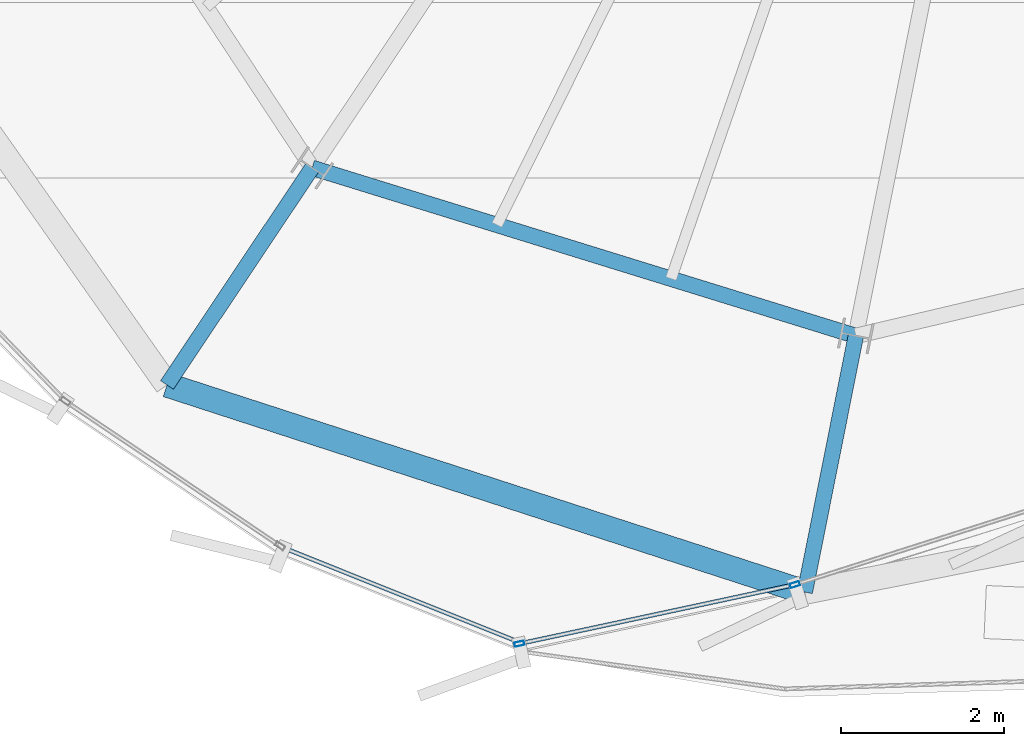
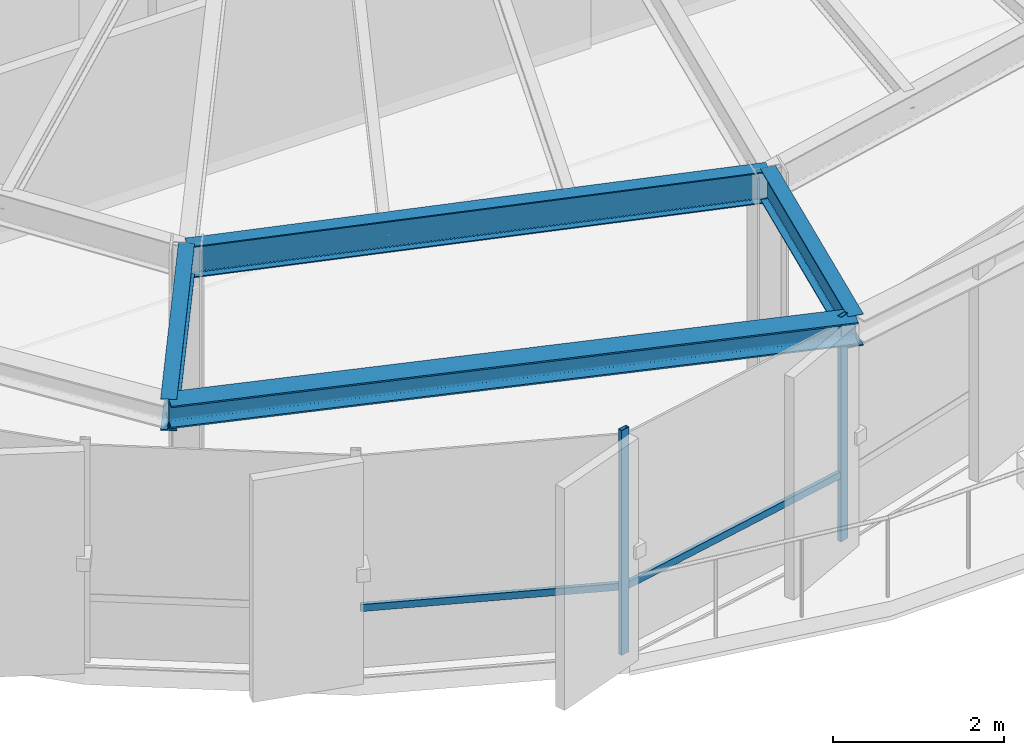
# One storey, part 3 of 31: 4 beams, 4 members, 1 element without a shape of its own.
"""IFC4 building model written with IfcOpenShell, lengths in metres."""

from ifc_helpers import new_model, si_unit, direction, frame, origin, origin_2d, place, context, subcontext, project, spatial, hollow_rectangle, i_section, extrude, source, transform, mapped, material, layer, layer_set, material_profile, profile_set, type_object, element, aggregate, save


model = new_model("IFC4")

# Units and contexts
model_context = context("Model", 3, precision=1e-05, world=origin(), true_north=direction((0.0, 1.0)))
body_context = subcontext(model_context, "Body", "Model", "MODEL_VIEW")
ifc_project = project(units=[si_unit("LENGTHUNIT", "METRE"), si_unit("AREAUNIT", "SQUARE_METRE"), si_unit("VOLUMEUNIT", "CUBIC_METRE"), si_unit("PLANEANGLEUNIT", "RADIAN"), si_unit("MASSUNIT", "GRAM", prefix="KILO"), si_unit("THERMODYNAMICTEMPERATUREUNIT", "KELVIN")], contexts=[model_context])

# Site, building, storey
site_placement = place(None, origin())
site = spatial("IfcSite", under=ifc_project, at=site_placement, CompositionType="ELEMENT")
building_placement = place(site_placement, origin())
building = spatial("IfcBuilding", under=site, at=building_placement, Name="Kethvar Cultural Tower", CompositionType="ELEMENT")
storey_placement = place(building_placement, frame((0.0, 0.0, 283.60009765625)))
storey = spatial("IfcBuildingStorey", under=building, at=storey_placement, Name="L75", CompositionType="ELEMENT", Elevation=283.60009765625)

# Beams
ifc_material_1 = material(Name="Steel S355J2", Category="steel")
ifc_material_profile_1 = material_profile(ifc_material_1, i_section(OverallWidth=0.18994140625, OverallDepth=0.449951171875, WebThickness=0.009521484375, FlangeThickness=0.0146484375, FilletRadius=0.02099609375, at=origin_2d()), Name="Steel S355J2 — IPE450")
ifc_profile_set_1 = profile_set([ifc_material_profile_1], Name="Steel S355J2 — IPE450")
beam_type_1 = type_object("IfcBeamType", Name="BM-IPE450", PredefinedType="BEAM", material=ifc_profile_set_1)
shared_shape_1 = source(origin(), body_context, "Body", "SweptSolid", [
    extrude(i_section(OverallWidth=0.18994140625, OverallDepth=0.449951171875, WebThickness=0.009521484375, FlangeThickness=0.0146484375, FilletRadius=0.02099609375, at=origin_2d()), origin(), (0.0, 0.0, 1.0), 3.199951171875),
])
beam_1_placement = place(storey_placement, frame((36.731201171875, 12.73095703125, 2.98291015625), z_axis=(-0.555580212716, -0.831462943996, 0.0), x_axis=(0.831462943996, -0.555580212716, 0.0)))
element("IfcBeam", 1, at=beam_1_placement, inside=storey, type_object=beam_type_1, Name="L75 Perimeter Cantilever Beam RC-11", PredefinedType="BEAM", context=body_context, shape_type="MappedRepresentation", body=[
    mapped(shared_shape_1, transform((0.0, 0.0, 0.0), scale=1.0)),
])
shared_shape_2 = source(origin(), body_context, "Body", "SweptSolid", [
    extrude(i_section(OverallWidth=0.18994140625, OverallDepth=0.449951171875, WebThickness=0.009521484375, FlangeThickness=0.0146484375, FilletRadius=0.02099609375, at=origin_2d()), origin(), (0.0, 0.0, 1.0), 3.2001953125),
])
beam_2_placement = place(storey_placement, frame((43.392822265625, 10.67138671875, 2.98291015625), z_axis=(-0.195074368086, -0.980788453702, 0.0), x_axis=(0.980788453702, -0.195074368086, 0.0)))
element("IfcBeam", 2, at=beam_2_placement, inside=storey, type_object=beam_type_1, Name="L75 Perimeter Cantilever Beam RC-12", PredefinedType="BEAM", context=body_context, shape_type="MappedRepresentation", body=[
    mapped(shared_shape_2, transform((0.0, 0.0, 0.0), scale=1.0)),
])
shared_shape_3 = source(origin(), body_context, "Body", "SweptSolid", [
    extrude(i_section(OverallWidth=0.18994140625, OverallDepth=0.449951171875, WebThickness=0.009521484375, FlangeThickness=0.0146484375, FilletRadius=0.02099609375, at=origin_2d()), origin(), (0.0, 0.0, 1.0), 6.97265625),
])
beam_3_placement = place(storey_placement, frame((36.731201171875, 12.73095703125, 2.98291015625), z_axis=(0.955381444404, -0.295374839295, 0.0), x_axis=(0.295374839295, 0.955381444404, 0.0)))
element("IfcBeam", 3, at=beam_3_placement, inside=storey, type_object=beam_type_1, Name="L75 Column Ring Tie Beam CR-11", PredefinedType="BEAM", context=body_context, shape_type="MappedRepresentation", body=[
    mapped(shared_shape_3, transform((0.0, 0.0, 0.0), scale=1.0)),
])
ifc_material_profile_2 = material_profile(ifc_material_1, i_section(OverallWidth=0.300048828125, OverallDepth=0.320068359375, WebThickness=0.011474609375, FlangeThickness=0.0205078125, FilletRadius=0.027099609375, at=origin_2d()), Name="Steel S355J2 — HEB320")
ifc_profile_set_2 = profile_set([ifc_material_profile_2], Name="Steel S355J2 — HEB320")
beam_type_2 = type_object("IfcBeamType", Name="BM-SP320", PredefinedType="SPANDREL", material=ifc_profile_set_2)
shared_shape_4 = source(origin(), body_context, "Body", "SweptSolid", [
    extrude(i_section(OverallWidth=0.300048828125, OverallDepth=0.320068359375, WebThickness=0.011474609375, FlangeThickness=0.0205078125, FilletRadius=0.027099609375, at=origin_2d()), origin(), (0.0, 0.0, 1.0), 8.216796875),
])
beam_4_placement = place(storey_placement, frame((34.953369140625, 10.0703125, 3.0478515625), z_axis=(0.951117661456, -0.30882874553, 0.0), x_axis=(0.30882874553, 0.951117661456, 0.0)))
element("IfcBeam", 4, at=beam_4_placement, inside=storey, type_object=beam_type_2, Name="L75 Perimeter Spandrel Beam SP-11", PredefinedType="SPANDREL", context=body_context, shape_type="MappedRepresentation", body=[
    mapped(shared_shape_4, transform((0.0, 0.0, 0.0), scale=1.0)),
])

# Curtain wall, members
ifc_material_2 = material(Name="Aluminium 6063-T6", Category="aluminium")
ifc_layer = layer(ifc_material_2, 0.179931640625, Name="Aluminium 6063-T6", Category="aluminium")
ifc_layer_set = layer_set([ifc_layer], Name="Aluminium 6063-T6 (180 mm)")
curtain_wall_type = type_object("IfcCurtainWallType", Name="CW-SYS-05-Z56", PredefinedType="NOTDEFINED", material=ifc_layer_set)
curtain_wall_placement = place(storey_placement, origin())
curtain_wall = element("IfcCurtainWall", 5, at=curtain_wall_placement, inside=storey, type_object=curtain_wall_type, Name="L75 Curtain Wall Run 04", PredefinedType="NOTDEFINED")
ifc_material_profile_3 = material_profile(ifc_material_2, hollow_rectangle(XDim=0.054931640625, YDim=0.1201171875, WallThickness=0.00390625, at=origin_2d()), Name="Aluminium 6063-T6 — RHS120x55x4")
ifc_profile_set_3 = profile_set([ifc_material_profile_3], Name="Aluminium 6063-T6 — RHS120x55x4")
member_type_1 = type_object("IfcMemberType", Name="CW-SYS-05-Z56-MUL", PredefinedType="MULLION", material=ifc_profile_set_3)
shared_shape_5 = source(origin(), body_context, "Body", "SweptSolid", [
    extrude(hollow_rectangle(XDim=0.054931640625, YDim=0.1201171875, WallThickness=0.00390625, at=origin_2d()), origin(), (0.0, 0.0, 1.0), 3.2099609375),
])
member_1_placement = place(storey_placement, frame((39.27099609375, 6.89990234375, 0.0), z_axis=(0.0, 0.0, 1.0), x_axis=(-0.209840409485, 0.977735650647, 0.0)))
member_1 = element("IfcMember", 6, at=member_1_placement, type_object=member_type_1, Name="CW-L75-R04 Mullion 2", PredefinedType="MULLION", context=body_context, shape_type="MappedRepresentation", body=[
    mapped(shared_shape_5, transform((0.0, 0.0, 0.0), scale=1.0)),
])
member_2_placement = place(storey_placement, frame((42.646240234375, 7.623779296875, 0.0), z_axis=(0.0, 0.0, 1.0), x_axis=(-0.303484316904, 0.952836433704, 0.0)))
member_2 = element("IfcMember", 7, at=member_2_placement, type_object=member_type_1, Name="CW-L75-R04 Mullion 3", PredefinedType="MULLION", context=body_context, shape_type="MappedRepresentation", body=[
    mapped(shared_shape_5, transform((0.0, 0.0, 0.0), scale=1.0)),
])
ifc_material_profile_4 = material_profile(ifc_material_2, hollow_rectangle(XDim=0.050048828125, YDim=0.10009765625, WallThickness=0.00390625, at=origin_2d()), Name="Aluminium 6063-T6 — RHS100x50x4")
ifc_profile_set_4 = profile_set([ifc_material_profile_4], Name="Aluminium 6063-T6 — RHS100x50x4")
member_type_2 = type_object("IfcMemberType", Name="CW-SYS-05-Z56-TRN", PredefinedType="USERDEFINED", material=ifc_profile_set_4)
shared_shape_6 = source(origin(), body_context, "Body", "SweptSolid", [
    extrude(hollow_rectangle(XDim=0.050048828125, YDim=0.10009765625, WallThickness=0.00390625, at=origin_2d()), origin(), (0.0, 0.0, 1.0), 3.129150390625),
])
member_3_placement = place(storey_placement, frame((36.38720703125, 8.072021484375, 0.949951171875), z_axis=(0.928449784659, -0.371457934854, 0.0), x_axis=(0.371457934854, 0.928449784659, 0.0)))
member_3 = element("IfcMember", 8, at=member_3_placement, type_object=member_type_2, Name="CW-L75-R04 Transom 1", ObjectType="TRANSOM", PredefinedType="USERDEFINED", context=body_context, shape_type="MappedRepresentation", body=[
    mapped(shared_shape_6, transform((0.0, 0.0, 0.0), scale=1.0)),
])
shared_shape_7 = source(origin(), body_context, "Body", "SweptSolid", [
    extrude(hollow_rectangle(XDim=0.050048828125, YDim=0.10009765625, WallThickness=0.00390625, at=origin_2d()), origin(), (0.0, 0.0, 1.0), 3.382080078125),
])
member_4_placement = place(storey_placement, frame((39.309814453125, 6.908203125, 0.949951171875), z_axis=(0.977735814389, 0.209839646543, 0.0), x_axis=(-0.209839646543, 0.977735814389, 0.0)))
member_4 = element("IfcMember", 9, at=member_4_placement, type_object=member_type_2, Name="CW-L75-R04 Transom 2", ObjectType="TRANSOM", PredefinedType="USERDEFINED", context=body_context, shape_type="MappedRepresentation", body=[
    mapped(shared_shape_7, transform((0.0, 0.0, 0.0), scale=1.0)),
])
aggregate(curtain_wall, [member_1, member_2, member_3, member_4])

save(model, "model.ifc")
